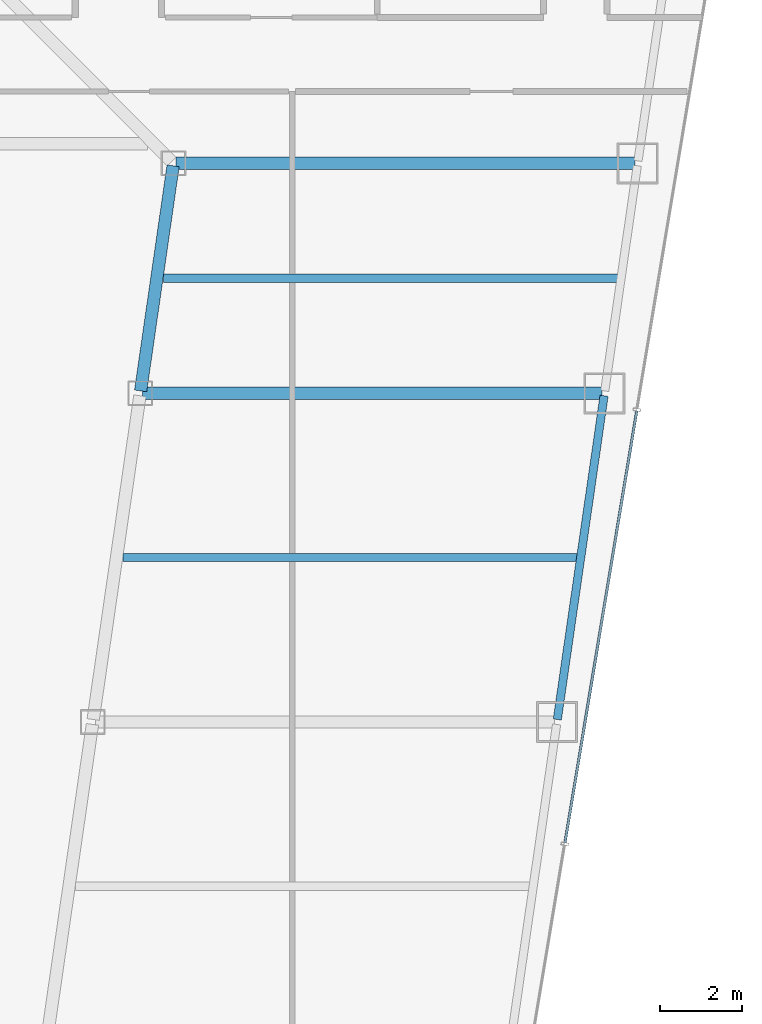
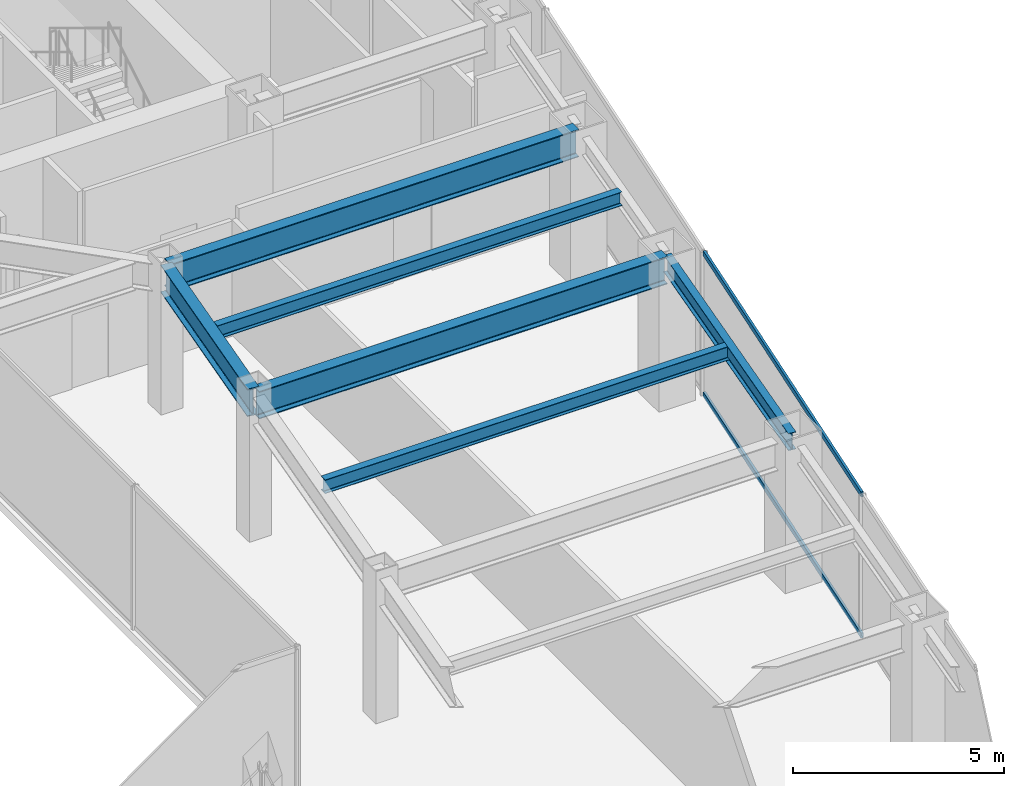
# One storey, part 18 of 37: 6 beams, 2 members, 1 element without a shape of its own.
"""IFC4 building model written with IfcOpenShell, lengths in metres."""

from ifc_helpers import new_model, si_unit, direction, frame, origin, origin_2d, place, context, subcontext, project, spatial, hollow_rectangle, i_section, extrude, material, material_profile, profile_set, type_object, element, aggregate, save


model = new_model("IFC4")

# Units and contexts
model_context = context("Model", 3, precision=1e-05, world=origin(), true_north=direction((0.0, 1.0)))
body_context = subcontext(model_context, "Body", "Model", "MODEL_VIEW")
ifc_project = project(units=[si_unit("LENGTHUNIT", "METRE"), si_unit("AREAUNIT", "SQUARE_METRE"), si_unit("VOLUMEUNIT", "CUBIC_METRE"), si_unit("PLANEANGLEUNIT", "RADIAN"), si_unit("MASSUNIT", "GRAM", prefix="KILO")], contexts=[model_context])

# Site, building, storey
site_placement = place(None, origin())
site = spatial("IfcSite", under=ifc_project, at=site_placement, CompositionType="ELEMENT")
building_placement = place(site_placement, origin())
building = spatial("IfcBuilding", under=site, at=building_placement, Name="Saevonmaru Cultural Tower", CompositionType="ELEMENT")
storey_placement = place(building_placement, frame((0.0, 0.0, 106.0)))
storey = spatial("IfcBuildingStorey", under=building, at=storey_placement, Name="L22", CompositionType="ELEMENT", Elevation=106.0)

# Beams
ifc_material_1 = material(Name="Steel SM420", Category="steel")
ifc_material_profile_1 = material_profile(ifc_material_1, i_section(OverallWidth=0.300048828125, OverallDepth=0.800048828125, WebThickness=0.013916015625, FlangeThickness=0.02587890625, FilletRadius=0.028076171875, at=origin_2d()), Name="H-800x300x14x26")
ifc_profile_set_1 = profile_set([ifc_material_profile_1], Name="Steel SM420")
beam_type_1 = type_object("IfcBeamType", Name="BM-G-H800", PredefinedType="BEAM", material=ifc_profile_set_1)
beam_1_placement = place(storey_placement, frame((40.3916015625, 32.059326171875, 3.75), z_axis=(0.142964121327, 0.989727871697, 0.0), x_axis=(-0.989727871697, 0.142964121327, 0.0)))
element("IfcBeam", 1, at=beam_1_placement, inside=storey, type_object=beam_type_1, Name="L22 East Atrium Girder 4", PredefinedType="BEAM", context=body_context, shape_type="SweptSolid", body=[
    extrude(i_section(OverallWidth=0.300048828125, OverallDepth=0.800048828125, WebThickness=0.013916015625, FlangeThickness=0.02587890625, FilletRadius=0.028076171875, at=origin_2d()), origin(), (0.0, 0.0, 1.0), 5.5380859375),
])
for number, where, z_axis, x_axis, name in (
    (2, (40.443115234375, 32.0, 3.75), (1.0, 0.0, 0.0), (0.0, 1.0, 0.0), "L22 East Wing Transverse Girder 4"),
    (3, (41.251953125, 37.60009765625, 3.75), (1.0, 0.0, 0.0), (0.0, 1.0, 0.0), "L22 East Wing Transverse Girder 5"),
):
    element("IfcBeam", number, at=place(storey_placement, frame(where, z_axis=z_axis, x_axis=x_axis)), inside=storey, type_object=beam_type_1, Name=name, PredefinedType="BEAM", context=body_context, shape_type="SweptSolid", body=[
        extrude(i_section(OverallWidth=0.300048828125, OverallDepth=0.800048828125, WebThickness=0.013916015625, FlangeThickness=0.02587890625, FilletRadius=0.028076171875, at=origin_2d()), origin(), (0.0, 0.0, 1.0), 11.179931640625),
    ])
ifc_material_2 = material(Name="Steel SM355", Category="steel")
ifc_material_profile_2 = material_profile(ifc_material_2, i_section(OverallWidth=0.199951171875, OverallDepth=0.39990234375, WebThickness=0.008056640625, FlangeThickness=0.012939453125, FilletRadius=0.01611328125, at=origin_2d()), Name="H-400x200x8x13")
ifc_profile_set_2 = profile_set([ifc_material_profile_2], Name="Steel SM355")
beam_type_2 = type_object("IfcBeamType", Name="BM-J-H400", PredefinedType="JOIST", material=ifc_profile_set_2)
for number, where, z_axis, x_axis, name in (
    (4, (39.96337890625, 28.0, 3.949951171875), (1.0, 0.0, 0.0), (0.0, 1.0, 0.0), "L22 East Wing Floor Joist 3"),
    (5, (40.945556640625, 34.800048828125, 3.949951171875), (1.0, 0.0, 0.0), (0.0, 1.0, 0.0), "L22 East Wing Floor Joist 4"),
):
    element("IfcBeam", number, at=place(storey_placement, frame(where, z_axis=z_axis, x_axis=x_axis)), inside=storey, type_object=beam_type_2, Name=name, PredefinedType="JOIST", context=body_context, shape_type="SweptSolid", body=[
        extrude(i_section(OverallWidth=0.199951171875, OverallDepth=0.39990234375, WebThickness=0.008056640625, FlangeThickness=0.012939453125, FilletRadius=0.01611328125, at=origin_2d()), origin(), (0.0, 0.0, 1.0), 11.08203125),
    ])
ifc_material_profile_3 = material_profile(ifc_material_2, i_section(OverallWidth=0.199951171875, OverallDepth=0.5, WebThickness=0.010009765625, FlangeThickness=0.01611328125, FilletRadius=0.02001953125, at=origin_2d()), Name="H-500x200x10x16")
ifc_profile_set_3 = profile_set([ifc_material_profile_3], Name="Steel SM355")
beam_type_3 = type_object("IfcBeamType", Name="BM-SP-H500", PredefinedType="SPANDREL", material=ifc_profile_set_3)
beam_2_placement = place(storey_placement, frame((50.53662109375, 24.059326171875, 3.89990234375), z_axis=(0.142871999001, 0.989741174197, 0.0), x_axis=(-0.989741174197, 0.142871999001, 0.0)))
element("IfcBeam", 6, at=beam_2_placement, inside=storey, type_object=beam_type_3, Name="L22 East Splayed Spandrel 3", PredefinedType="SPANDREL", context=body_context, shape_type="SweptSolid", body=[
    extrude(i_section(OverallWidth=0.199951171875, OverallDepth=0.5, WebThickness=0.010009765625, FlangeThickness=0.01611328125, FilletRadius=0.02001953125, at=origin_2d()), origin(), (0.0, 0.0, 1.0), 7.963134765625),
])

# Curtain wall, members
ifc_material_3 = material(Name="Satin Bronze Anodised Aluminium", Category="aluminium")
curtain_wall_type = type_object("IfcCurtainWallType", Name="CW-TYP-A", PredefinedType="NOTDEFINED", material=ifc_material_3)
curtain_wall_placement = place(storey_placement, origin())
curtain_wall = element("IfcCurtainWall", 7, at=curtain_wall_placement, inside=storey, type_object=curtain_wall_type, Name="L22 Unitised Curtain Wall E8", PredefinedType="NOTDEFINED")
ifc_material_profile_4 = material_profile(ifc_material_3, hollow_rectangle(XDim=0.06494140625, YDim=0.14990234375, WallThickness=0.00390625, at=origin_2d()), Name="ALU-TRAN-150x65x4")
ifc_profile_set_4 = profile_set([ifc_material_profile_4], Name="Satin Bronze Anodised Aluminium")
member_type = type_object("IfcMemberType", Name="TR-CW-150x65", PredefinedType="USERDEFINED", material=ifc_profile_set_4)
member_1_placement = place(storey_placement, frame((50.7236328125, 21.061767578125, 0.032470703125), z_axis=(0.163993787386, 0.98646137162, 0.0), x_axis=(-0.98646137162, 0.163993787386, 0.0)))
member_1 = element("IfcMember", 8, at=member_1_placement, type_object=member_type, Name="CW-TW-L22-E8 transom 2.1", ObjectType="TRANSOM", PredefinedType="USERDEFINED", context=body_context, shape_type="SweptSolid", body=[
    extrude(hollow_rectangle(XDim=0.06494140625, YDim=0.14990234375, WallThickness=0.00390625, at=origin_2d()), origin(), (0.0, 0.0, 1.0), 10.650390625),
])
member_2_placement = place(storey_placement, frame((50.7236328125, 21.061767578125, 4.117431640625), z_axis=(0.163993787386, 0.98646137162, 0.0), x_axis=(-0.98646137162, 0.163993787386, 0.0)))
member_2 = element("IfcMember", 9, at=member_2_placement, type_object=member_type, Name="CW-TW-L22-E8 transom 2.2", ObjectType="TRANSOM", PredefinedType="USERDEFINED", context=body_context, shape_type="SweptSolid", body=[
    extrude(hollow_rectangle(XDim=0.06494140625, YDim=0.14990234375, WallThickness=0.00390625, at=origin_2d()), origin(), (0.0, 0.0, 1.0), 10.650390625),
])
aggregate(curtain_wall, [member_1, member_2])

save(model, "model.ifc")
